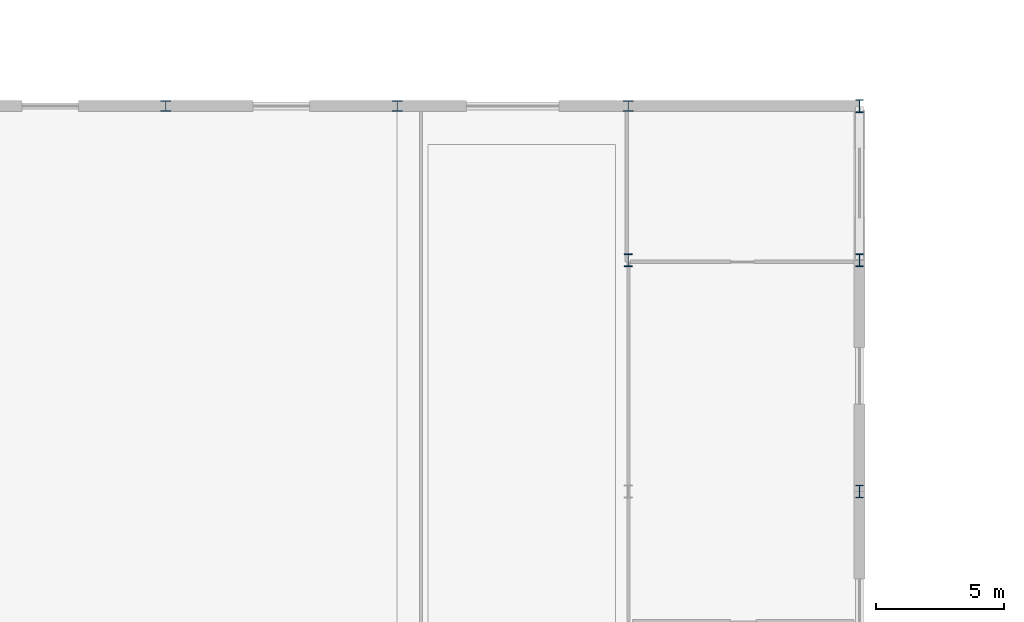
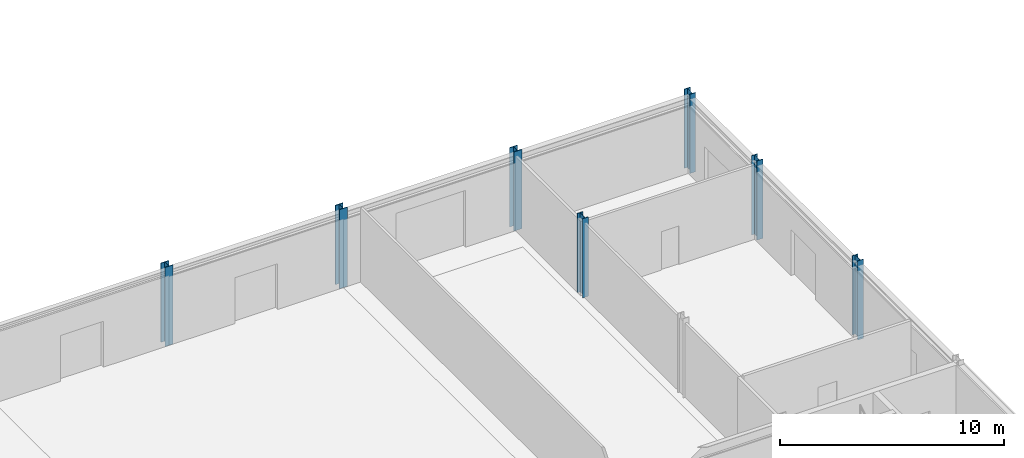
# One storey, part 11 of 72: 7 columns.
"""IFC4 building model written with IfcOpenShell, lengths in metres."""

from ifc_helpers import new_model, si_unit, direction, frame, origin, origin_2d, place, context, subcontext, project, spatial, i_section, extrude, material, material_profile, profile_set, type_object, element, save


model = new_model("IFC4")

# Units and contexts
model_context = context("Model", 3, precision=1e-05, world=origin(), true_north=direction((0.0, 1.0)))
body_context = subcontext(model_context, "Body", "Model", "MODEL_VIEW")
ifc_project = project(units=[si_unit("LENGTHUNIT", "METRE"), si_unit("AREAUNIT", "SQUARE_METRE"), si_unit("VOLUMEUNIT", "CUBIC_METRE"), si_unit("PLANEANGLEUNIT", "RADIAN"), si_unit("MASSUNIT", "GRAM", prefix="KILO")], contexts=[model_context])

# Site, building, storey
site_placement = place(None, origin())
site = spatial("IfcSite", under=ifc_project, at=site_placement, CompositionType="ELEMENT")
building_placement = place(site_placement, origin())
building = spatial("IfcBuilding", under=site, at=building_placement, Name="Palais des Congres Ocreval", CompositionType="ELEMENT")
storey_placement = place(building_placement, origin())
storey = spatial("IfcBuildingStorey", under=building, at=storey_placement, Name="L00", CompositionType="ELEMENT", Elevation=0.0)

# Columns
ifc_material = material(Name="Steel S355", Category="steel")
ifc_material_profile_1 = material_profile(ifc_material, i_section(OverallWidth=0.406005859375, OverallDepth=0.416015625, WebThickness=0.0224609375, FlangeThickness=0.0380859375, at=origin_2d()), Name="HD 400x382")
ifc_profile_set_1 = profile_set([ifc_material_profile_1], Name="Steel S355")
column_type_1 = type_object("IfcColumnType", Name="Column HD 400x382 Steel S355", PredefinedType="COLUMN", material=ifc_profile_set_1)
for number, where, z_axis, x_axis, name in (
    (1, (27.0, 114.0, 0.0), (0.0, 0.0, 1.0), (1.0, 0.0, 0.0), "Column C03 L00"),
    (2, (36.0, 114.0, 0.0), (0.0, 0.0, 1.0), (1.0, 0.0, 0.0), "Column C03 L00"),
    (3, (45.0, 114.0, 0.0), (0.0, 0.0, 1.0), (1.0, 0.0, 0.0), "Column C03 L00"),
):
    element("IfcColumn", number, at=place(storey_placement, frame(where, z_axis=z_axis, x_axis=x_axis)), inside=storey, type_object=column_type_1, Name=name, PredefinedType="COLUMN", context=body_context, shape_type="SweptSolid", body=[
        extrude(i_section(OverallWidth=0.406005859375, OverallDepth=0.416015625, WebThickness=0.0224609375, FlangeThickness=0.0380859375, at=origin_2d()), origin(), (0.0, 0.0, 1.0), 4.320068359375),
    ])
ifc_material_profile_2 = material_profile(ifc_material, i_section(OverallWidth=0.300048828125, OverallDepth=0.5, WebThickness=0.014404296875, FlangeThickness=0.028076171875, at=origin_2d()), Name="HEB 500")
ifc_profile_set_2 = profile_set([ifc_material_profile_2], Name="Steel S355")
column_type_2 = type_object("IfcColumnType", Name="Column HEB 500 Steel S355", PredefinedType="COLUMN", material=ifc_profile_set_2)
for number, where, z_axis, x_axis, name in (
    (4, (45.0, 108.0, 0.0), (0.0, 0.0, 1.0), (1.0, 0.0, 0.0), "Column C08 L00"),
    (5, (54.0, 99.0, 0.0), (0.0, 0.0, 1.0), (1.0, 0.0, 0.0), "Column C08 L00"),
    (6, (54.0, 108.0, 0.0), (0.0, 0.0, 1.0), (1.0, 0.0, 0.0), "Column C08 L00"),
    (7, (54.0, 114.0, 0.0), (0.0, 0.0, 1.0), (1.0, 0.0, 0.0), "Column C08 L00"),
):
    element("IfcColumn", number, at=place(storey_placement, frame(where, z_axis=z_axis, x_axis=x_axis)), inside=storey, type_object=column_type_2, Name=name, PredefinedType="COLUMN", context=body_context, shape_type="SweptSolid", body=[
        extrude(i_section(OverallWidth=0.300048828125, OverallDepth=0.5, WebThickness=0.014404296875, FlangeThickness=0.028076171875, at=origin_2d()), origin(), (0.0, 0.0, 1.0), 4.320068359375),
    ])

save(model, "model.ifc")
